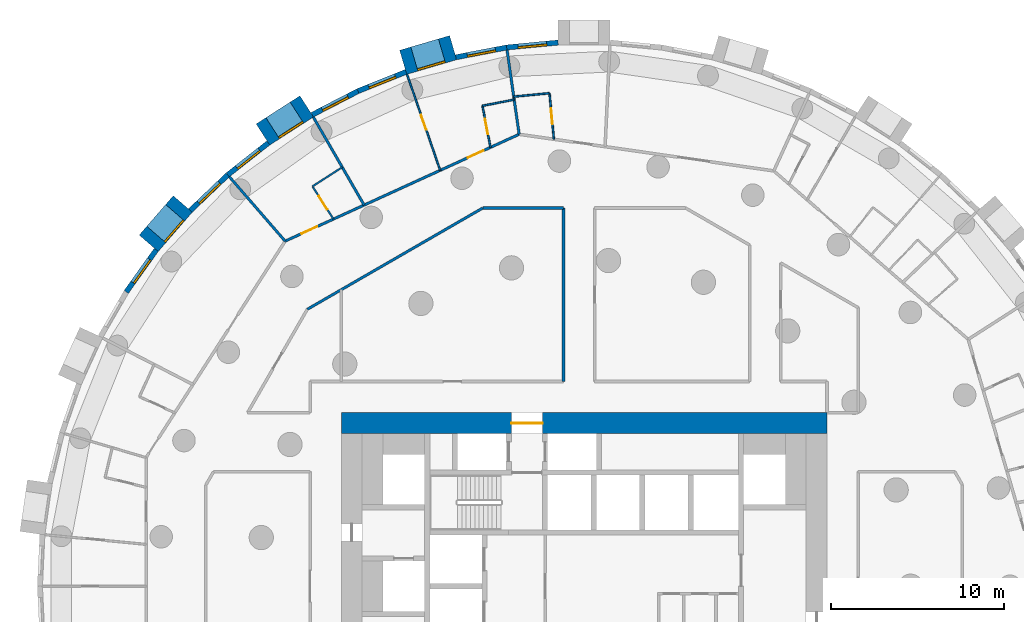
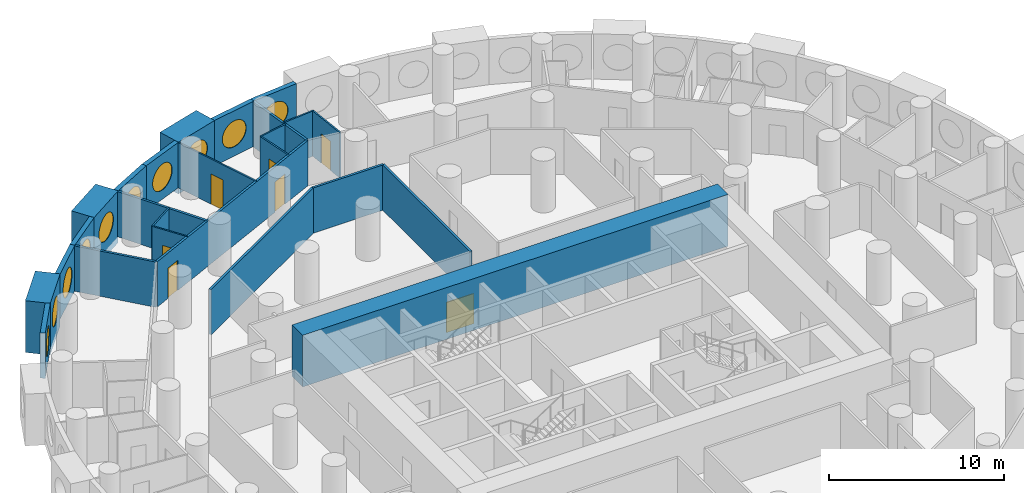
# One storey, part 8 of 12: 25 walls, 10 windows, 7 doors, 17 openings.
"""IFC4 building model written with IfcOpenShell, lengths in metres."""

from ifc_helpers import new_model, si_unit, direction, frame, frame_2d, origin, origin_2d, place, context, subcontext, project, spatial, rectangle, circle, extrude, material, layer, layer_set, type_object, element, fill, save


model = new_model("IFC4")

# Units and contexts
model_context = context("Model", 3, precision=1e-05, world=origin(), true_north=direction((0.0, 1.0)))
body_context = subcontext(model_context, "Body", "Model", "MODEL_VIEW")
ifc_project = project(units=[si_unit("LENGTHUNIT", "METRE"), si_unit("AREAUNIT", "SQUARE_METRE"), si_unit("VOLUMEUNIT", "CUBIC_METRE"), si_unit("PLANEANGLEUNIT", "RADIAN"), si_unit("MASSUNIT", "GRAM", prefix="KILO")], contexts=[model_context])

# Site, building, storey
site_placement = place(None, origin())
site = spatial("IfcSite", under=ifc_project, at=site_placement, CompositionType="ELEMENT")
building_placement = place(site_placement, origin())
building = spatial("IfcBuilding", under=site, at=building_placement, Name="Tracery Tower", CompositionType="ELEMENT")
storey_placement = place(building_placement, frame((0.0, 0.0, 107.39990234375)))
storey = spatial("IfcBuildingStorey", under=building, at=storey_placement, Name="L27", CompositionType="ELEMENT", Elevation=107.39990234375)

# Wall, opening, door
ifc_material_1 = material(Name="Concrete C60/75", Category="concrete")
ifc_layer_1 = layer(ifc_material_1, 1.199951171875)
ifc_layer_set_1 = layer_set([ifc_layer_1], Name="Core wall 1200 C60")
wall_type_1 = type_object("IfcWallType", Name="Core wall 1200 C60", PredefinedType="SOLIDWALL", material=ifc_layer_set_1)
wall_1_placement = place(storey_placement, frame((-14.0, 9.39990234375, 0.0), z_axis=(0.0, 0.0, 1.0), x_axis=(1.0, 0.0, 0.0)))
wall_1 = element("IfcWall", 1, at=wall_1_placement, inside=storey, type_object=wall_type_1, Name="L27 outer N", PredefinedType="SOLIDWALL", context=body_context, shape_type="SweptSolid", body=[
    extrude(rectangle(XDim=28.0, YDim=1.199951171875, at=frame_2d((14.0, 0.0))), origin(), (0.0, 0.0, 1.0), 3.60009765625),
])
opening_1_placement = place(wall_1_placement, frame((9.800048828125, 0.0, 0.0)))
opening_1 = element("IfcOpeningElement", 2, at=opening_1_placement, cuts=wall_1, Name="Opening KD13", PredefinedType="OPENING", context=body_context, shape_type="SweptSolid", body=[
    extrude(rectangle(XDim=1.800048828125, YDim=2.10009765625, at=frame_2d((0.89990234375, 1.050048828125))), frame((0.0, 0.60009765625, 0.0), z_axis=(0.0, -1.0, 0.0), x_axis=(1.0, 0.0, 0.0)), (0.0, 0.0, 1.0), 1.199951171875),
])
ifc_material_2 = material(Name="Steel fire door", Category="steel")
door_type_1 = type_object("IfcDoorType", Name="Core exit door 1800 double", OperationType="NOTDEFINED", PredefinedType="DOOR", material=ifc_material_2)
door_1_placement = place(opening_1_placement, origin())
door_1 = element("IfcDoor", 3, at=door_1_placement, inside=storey, type_object=door_type_1, Name="Core exit door", OperationType="DOUBLE_DOOR_SINGLE_SWING", OverallHeight=2.10009765625, OverallWidth=1.800048828125, PredefinedType="DOOR", context=body_context, shape_type="SweptSolid", body=[
    extrude(rectangle(XDim=1.800048828125, YDim=2.10009765625, at=frame_2d((0.89990234375, 1.050048828125))), frame((0.0, 0.02490234375, 0.0), z_axis=(0.0, -1.0, 0.0), x_axis=(1.0, 0.0, 0.0)), (0.0, 0.0, 1.0), 0.050048828125),
])
fill(opening_1, door_1)

# Wall, opening, window
ifc_material_3 = material(Name="Precast concrete C50/60", Category="concrete")
ifc_layer_2 = layer(ifc_material_3, 1.449951171875)
ifc_layer_set_2 = layer_set([ifc_layer_2], Name="Deep-set bay unit 3000 x 3600, slab edge 450")
wall_type_2 = type_object("IfcWallType", Name="Deep-set bay unit 3000 x 3600, slab edge 450", PredefinedType="ELEMENTEDWALL", material=ifc_layer_set_2)
wall_2_placement = place(storey_placement, frame((-7.552001953125, 31.043701171875, -0.449951171875), z_axis=(0.0, 0.0, 1.0), x_axis=(-0.959489813418, -0.281743319258, 0.0)))
wall_2 = element("IfcWall", 4, at=wall_2_placement, inside=storey, type_object=wall_type_2, Name="Deep-set bay unit 20 at L27", PredefinedType="ELEMENTEDWALL", context=body_context, shape_type="SweptSolid", body=[
    extrude(rectangle(XDim=3.0, YDim=1.449951171875, at=frame_2d((1.5, 0.0))), origin(), (0.0, 0.0, 1.0), 3.60009765625),
])
opening_2_placement = place(wall_2_placement, frame((1.5, 0.0, 2.0)))
opening_2 = element("IfcOpeningElement", 5, at=opening_2_placement, cuts=wall_2, Name="Opening WN1", PredefinedType="OPENING", context=body_context, shape_type="SweptSolid", body=[
    extrude(circle(Radius=0.9000244140625, at=origin_2d()), frame((0.0, 0.73486328125, 0.0), z_axis=(0.0, -1.0, 0.0), x_axis=(1.0, 0.0, 0.0)), (0.0, 0.0, 1.0), 1.469970703125),
])
ifc_material_4 = material(Name="Aluminium frame with tinted double glazing", Category="aluminium")
window_type = type_object("IfcWindowType", Name="Round window 1800", PartitioningType="SINGLE_PANEL", PredefinedType="WINDOW", material=ifc_material_4)
window_1_placement = place(opening_2_placement, origin())
window_1 = element("IfcWindow", 6, at=window_1_placement, inside=storey, type_object=window_type, Name="Round window 20 at L27", OverallHeight=1.800048828125, OverallWidth=1.800048828125, PartitioningType="SINGLE_PANEL", PredefinedType="WINDOW", context=body_context, shape_type="SweptSolid", body=[
    extrude(circle(Radius=0.9000244140625, at=origin_2d()), frame((0.0, 0.69482421875, 0.0), z_axis=(0.0, -1.0, 0.0), x_axis=(1.0, 0.0, 0.0)), (0.0, 0.0, 1.0), 0.10009765625),
])
fill(opening_2, window_1)

wall_3_placement = place(storey_placement, frame((-15.9921875, 27.65869140625, -0.449951171875), z_axis=(0.0, 0.0, 1.0), x_axis=(-0.841223422347, -0.540687667415, 0.0)))
wall_3 = element("IfcWall", 7, at=wall_3_placement, inside=storey, type_object=wall_type_2, Name="Deep-set bay unit 23 at L27", PredefinedType="ELEMENTEDWALL", context=body_context, shape_type="SweptSolid", body=[
    extrude(rectangle(XDim=3.0, YDim=1.449951171875, at=frame_2d((1.5, 0.0))), origin(), (0.0, 0.0, 1.0), 3.60009765625),
])
opening_3_placement = place(wall_3_placement, frame((1.5, 0.0, 2.0)))
opening_3 = element("IfcOpeningElement", 8, at=opening_3_placement, cuts=wall_3, Name="Opening WN1", PredefinedType="OPENING", context=body_context, shape_type="SweptSolid", body=[
    extrude(circle(Radius=0.9000244140625, at=origin_2d()), frame((0.0, 0.73486328125, 0.0), z_axis=(0.0, -1.0, 0.0), x_axis=(1.0, 0.0, 0.0)), (0.0, 0.0, 1.0), 1.469970703125),
])
window_2_placement = place(opening_3_placement, origin())
window_2 = element("IfcWindow", 9, at=window_2_placement, inside=storey, type_object=window_type, Name="Round window 23 at L27", OverallHeight=1.800048828125, OverallWidth=1.800048828125, PartitioningType="SINGLE_PANEL", PredefinedType="WINDOW", context=body_context, shape_type="SweptSolid", body=[
    extrude(circle(Radius=0.9000244140625, at=origin_2d()), frame((0.0, 0.69482421875, 0.0), z_axis=(0.0, -1.0, 0.0), x_axis=(1.0, 0.0, 0.0)), (0.0, 0.0, 1.0), 0.10009765625),
])
fill(opening_3, window_2)

wall_4_placement = place(storey_placement, frame((-23.13671875, 22.03271484375, -0.449951171875), z_axis=(0.0, 0.0, 1.0), x_axis=(-0.654890259022, -0.75572398972, 0.0)))
wall_4 = element("IfcWall", 10, at=wall_4_placement, inside=storey, type_object=wall_type_2, Name="Deep-set bay unit 26 at L27", PredefinedType="ELEMENTEDWALL", context=body_context, shape_type="SweptSolid", body=[
    extrude(rectangle(XDim=3.0, YDim=1.449951171875, at=frame_2d((1.5, 0.0))), origin(), (0.0, 0.0, 1.0), 3.60009765625),
])
opening_4_placement = place(wall_4_placement, frame((1.5, 0.0, 2.0)))
opening_4 = element("IfcOpeningElement", 11, at=opening_4_placement, cuts=wall_4, Name="Opening WN1", PredefinedType="OPENING", context=body_context, shape_type="SweptSolid", body=[
    extrude(circle(Radius=0.9000244140625, at=origin_2d()), frame((0.0, 0.73486328125, 0.0), z_axis=(0.0, -1.0, 0.0), x_axis=(1.0, 0.0, 0.0)), (0.0, 0.0, 1.0), 1.469970703125),
])
window_3_placement = place(opening_4_placement, origin())
window_3 = element("IfcWindow", 12, at=window_3_placement, inside=storey, type_object=window_type, Name="Round window 26 at L27", OverallHeight=1.800048828125, OverallWidth=1.800048828125, PartitioningType="SINGLE_PANEL", PredefinedType="WINDOW", context=body_context, shape_type="SweptSolid", body=[
    extrude(circle(Radius=0.9000244140625, at=origin_2d()), frame((0.0, 0.69482421875, 0.0), z_axis=(0.0, -1.0, 0.0), x_axis=(1.0, 0.0, 0.0)), (0.0, 0.0, 1.0), 0.10009765625),
])
fill(opening_4, window_3)

ifc_material_5 = material(Name="Precast concrete C50/60", Category="concrete")
ifc_layer_3 = layer(ifc_material_5, 0.300048828125)
ifc_layer_set_3 = layer_set([ifc_layer_3], Name="Facade panel 3000 x 3150")
wall_type_3 = type_object("IfcWallType", Name="Facade panel 3000 x 3150", PredefinedType="SOLIDWALL", material=ifc_layer_set_3)
wall_5_placement = place(storey_placement, frame((-1.498779296875, 31.33837890625, 0.0), z_axis=(0.0, 0.0, 1.0), x_axis=(-0.995473351551, -0.095041077185, 0.0)))
wall_5 = element("IfcWall", 13, at=wall_5_placement, inside=storey, type_object=wall_type_3, Name="Facade panel 18 at L27", PredefinedType="SOLIDWALL", context=body_context, shape_type="SweptSolid", body=[
    extrude(rectangle(XDim=2.979736328125, YDim=0.300048828125, at=frame_2d((1.48974609375, 0.0))), origin(), (0.0, 0.0, 1.0), 3.150146484375),
])
opening_5_placement = place(wall_5_placement, frame((1.48974609375, 0.0, 1.5498046875)))
opening_5 = element("IfcOpeningElement", 14, at=opening_5_placement, cuts=wall_5, Name="Opening WN1", PredefinedType="OPENING", context=body_context, shape_type="SweptSolid", body=[
    extrude(circle(Radius=0.9000244140625, at=origin_2d()), frame((0.0, 0.159912109375, 0.0), z_axis=(0.0, -1.0, 0.0), x_axis=(1.0, 0.0, 0.0)), (0.0, 0.0, 1.0), 0.320068359375),
])
window_4_placement = place(opening_5_placement, origin())
window_4 = element("IfcWindow", 15, at=window_4_placement, inside=storey, type_object=window_type, Name="Round window 18 at L27", OverallHeight=1.800048828125, OverallWidth=1.800048828125, PartitioningType="SINGLE_PANEL", PredefinedType="WINDOW", context=body_context, shape_type="SweptSolid", body=[
    extrude(circle(Radius=0.9000244140625, at=origin_2d()), frame((0.0, 0.1201171875, 0.0), z_axis=(0.0, -1.0, 0.0), x_axis=(1.0, 0.0, 0.0)), (0.0, 0.0, 1.0), 0.10009765625),
])
fill(opening_5, window_4)

wall_6_placement = place(storey_placement, frame((-4.465087890625, 31.05517578125, 0.0), z_axis=(0.0, 0.0, 1.0), x_axis=(-0.981924535406, -0.189272836848, 0.0)))
wall_6 = element("IfcWall", 16, at=wall_6_placement, inside=storey, type_object=wall_type_3, Name="Facade panel 19 at L27", PredefinedType="SOLIDWALL", context=body_context, shape_type="SweptSolid", body=[
    extrude(rectangle(XDim=2.979736328125, YDim=0.300048828125, at=frame_2d((1.48974609375, 0.0))), origin(), (0.0, 0.0, 1.0), 3.150146484375),
])
opening_6_placement = place(wall_6_placement, frame((1.48974609375, 0.0, 1.5498046875)))
opening_6 = element("IfcOpeningElement", 17, at=opening_6_placement, cuts=wall_6, Name="Opening WN1", PredefinedType="OPENING", context=body_context, shape_type="SweptSolid", body=[
    extrude(circle(Radius=0.9000244140625, at=origin_2d()), frame((0.0, 0.159912109375, 0.0), z_axis=(0.0, -1.0, 0.0), x_axis=(1.0, 0.0, 0.0)), (0.0, 0.0, 1.0), 0.320068359375),
])
window_5_placement = place(opening_6_placement, origin())
window_5 = element("IfcWindow", 18, at=window_5_placement, inside=storey, type_object=window_type, Name="Round window 19 at L27", OverallHeight=1.800048828125, OverallWidth=1.800048828125, PartitioningType="SINGLE_PANEL", PredefinedType="WINDOW", context=body_context, shape_type="SweptSolid", body=[
    extrude(circle(Radius=0.9000244140625, at=origin_2d()), frame((0.0, 0.1201171875, 0.0), z_axis=(0.0, -1.0, 0.0), x_axis=(1.0, 0.0, 0.0)), (0.0, 0.0, 1.0), 0.10009765625),
])
fill(opening_6, window_5)

wall_7_placement = place(storey_placement, frame((-10.26708984375, 29.646484375, 0.0), z_axis=(0.0, 0.0, 1.0), x_axis=(-0.928403213937, -0.371574316054, 0.0)))
wall_7 = element("IfcWall", 19, at=wall_7_placement, inside=storey, type_object=wall_type_3, Name="Facade panel 21 at L27", PredefinedType="SOLIDWALL", context=body_context, shape_type="SweptSolid", body=[
    extrude(rectangle(XDim=2.979736328125, YDim=0.300048828125, at=frame_2d((1.48974609375, 0.0))), origin(), (0.0, 0.0, 1.0), 3.150146484375),
])
opening_7_placement = place(wall_7_placement, frame((1.48974609375, 0.0, 1.5498046875)))
opening_7 = element("IfcOpeningElement", 20, at=opening_7_placement, cuts=wall_7, Name="Opening WN1", PredefinedType="OPENING", context=body_context, shape_type="SweptSolid", body=[
    extrude(circle(Radius=0.9000244140625, at=origin_2d()), frame((0.0, 0.159912109375, 0.0), z_axis=(0.0, -1.0, 0.0), x_axis=(1.0, 0.0, 0.0)), (0.0, 0.0, 1.0), 0.320068359375),
])
window_6_placement = place(opening_7_placement, origin())
window_6 = element("IfcWindow", 21, at=window_6_placement, inside=storey, type_object=window_type, Name="Round window 21 at L27", OverallHeight=1.800048828125, OverallWidth=1.800048828125, PartitioningType="SINGLE_PANEL", PredefinedType="WINDOW", context=body_context, shape_type="SweptSolid", body=[
    extrude(circle(Radius=0.9000244140625, at=origin_2d()), frame((0.0, 0.1201171875, 0.0), z_axis=(0.0, -1.0, 0.0), x_axis=(1.0, 0.0, 0.0)), (0.0, 0.0, 1.0), 0.10009765625),
])
fill(opening_7, window_6)

wall_8_placement = place(storey_placement, frame((-13.033447265625, 28.539306640625, 0.0), z_axis=(0.0, 0.0, 1.0), x_axis=(-0.888819853856, -0.458256770153, 0.0)))
wall_8 = element("IfcWall", 22, at=wall_8_placement, inside=storey, type_object=wall_type_3, Name="Facade panel 22 at L27", PredefinedType="SOLIDWALL", context=body_context, shape_type="SweptSolid", body=[
    extrude(rectangle(XDim=2.979736328125, YDim=0.300048828125, at=frame_2d((1.48974609375, 0.0))), origin(), (0.0, 0.0, 1.0), 3.150146484375),
])
opening_8_placement = place(wall_8_placement, frame((1.48974609375, 0.0, 1.5498046875)))
opening_8 = element("IfcOpeningElement", 23, at=opening_8_placement, cuts=wall_8, Name="Opening WN1", PredefinedType="OPENING", context=body_context, shape_type="SweptSolid", body=[
    extrude(circle(Radius=0.9000244140625, at=origin_2d()), frame((0.0, 0.159912109375, 0.0), z_axis=(0.0, -1.0, 0.0), x_axis=(1.0, 0.0, 0.0)), (0.0, 0.0, 1.0), 0.320068359375),
])
window_7_placement = place(opening_8_placement, origin())
window_7 = element("IfcWindow", 24, at=window_7_placement, inside=storey, type_object=window_type, Name="Round window 22 at L27", OverallHeight=1.800048828125, OverallWidth=1.800048828125, PartitioningType="SINGLE_PANEL", PredefinedType="WINDOW", context=body_context, shape_type="SweptSolid", body=[
    extrude(circle(Radius=0.9000244140625, at=origin_2d()), frame((0.0, 0.1201171875, 0.0), z_axis=(0.0, -1.0, 0.0), x_axis=(1.0, 0.0, 0.0)), (0.0, 0.0, 1.0), 0.10009765625),
])
fill(opening_8, window_7)

wall_9_placement = place(storey_placement, frame((-18.20361328125, 25.55322265625, 0.0), z_axis=(0.0, 0.0, 1.0), x_axis=(-0.786045331304, -0.618168858108, 0.0)))
wall_9 = element("IfcWall", 25, at=wall_9_placement, inside=storey, type_object=wall_type_3, Name="Facade panel 24 at L27", PredefinedType="SOLIDWALL", context=body_context, shape_type="SweptSolid", body=[
    extrude(rectangle(XDim=2.979736328125, YDim=0.300048828125, at=frame_2d((1.48974609375, 0.0))), origin(), (0.0, 0.0, 1.0), 3.150146484375),
])
opening_9_placement = place(wall_9_placement, frame((1.48974609375, 0.0, 1.5498046875)))
opening_9 = element("IfcOpeningElement", 26, at=opening_9_placement, cuts=wall_9, Name="Opening WN1", PredefinedType="OPENING", context=body_context, shape_type="SweptSolid", body=[
    extrude(circle(Radius=0.9000244140625, at=origin_2d()), frame((0.0, 0.159912109375, 0.0), z_axis=(0.0, -1.0, 0.0), x_axis=(1.0, 0.0, 0.0)), (0.0, 0.0, 1.0), 0.320068359375),
])
window_8_placement = place(opening_9_placement, origin())
window_8 = element("IfcWindow", 27, at=window_8_placement, inside=storey, type_object=window_type, Name="Round window 24 at L27", OverallHeight=1.800048828125, OverallWidth=1.800048828125, PartitioningType="SINGLE_PANEL", PredefinedType="WINDOW", context=body_context, shape_type="SweptSolid", body=[
    extrude(circle(Radius=0.9000244140625, at=origin_2d()), frame((0.0, 0.1201171875, 0.0), z_axis=(0.0, -1.0, 0.0), x_axis=(1.0, 0.0, 0.0)), (0.0, 0.0, 1.0), 0.10009765625),
])
fill(opening_9, window_8)

wall_10_placement = place(storey_placement, frame((-20.5458984375, 23.711181640625, 0.0), z_axis=(0.0, 0.0, 1.0), x_axis=(-0.723744206617, -0.690068346896, 0.0)))
wall_10 = element("IfcWall", 28, at=wall_10_placement, inside=storey, type_object=wall_type_3, Name="Facade panel 25 at L27", PredefinedType="SOLIDWALL", context=body_context, shape_type="SweptSolid", body=[
    extrude(rectangle(XDim=2.979736328125, YDim=0.300048828125, at=frame_2d((1.48974609375, 0.0))), origin(), (0.0, 0.0, 1.0), 3.150146484375),
])
opening_10_placement = place(wall_10_placement, frame((1.48974609375, 0.0, 1.5498046875)))
opening_10 = element("IfcOpeningElement", 29, at=opening_10_placement, cuts=wall_10, Name="Opening WN1", PredefinedType="OPENING", context=body_context, shape_type="SweptSolid", body=[
    extrude(circle(Radius=0.9000244140625, at=origin_2d()), frame((0.0, 0.159912109375, 0.0), z_axis=(0.0, -1.0, 0.0), x_axis=(1.0, 0.0, 0.0)), (0.0, 0.0, 1.0), 0.320068359375),
])
window_9_placement = place(opening_10_placement, origin())
window_9 = element("IfcWindow", 30, at=window_9_placement, inside=storey, type_object=window_type, Name="Round window 25 at L27", OverallHeight=1.800048828125, OverallWidth=1.800048828125, PartitioningType="SINGLE_PANEL", PredefinedType="WINDOW", context=body_context, shape_type="SweptSolid", body=[
    extrude(circle(Radius=0.9000244140625, at=origin_2d()), frame((0.0, 0.1201171875, 0.0), z_axis=(0.0, -1.0, 0.0), x_axis=(1.0, 0.0, 0.0)), (0.0, 0.0, 1.0), 0.10009765625),
])
fill(opening_10, window_9)

wall_11_placement = place(storey_placement, frame((-24.66552734375, 19.389404296875, 0.0), z_axis=(0.0, 0.0, 1.0), x_axis=(-0.580059407678, -0.81457417315, 0.0)))
wall_11 = element("IfcWall", 31, at=wall_11_placement, inside=storey, type_object=wall_type_3, Name="Facade panel 27 at L27", PredefinedType="SOLIDWALL", context=body_context, shape_type="SweptSolid", body=[
    extrude(rectangle(XDim=2.9794921875, YDim=0.300048828125, at=frame_2d((1.48974609375, 0.0))), origin(), (0.0, 0.0, 1.0), 3.150146484375),
])
opening_11_placement = place(wall_11_placement, frame((1.48974609375, 0.0, 1.5498046875)))
opening_11 = element("IfcOpeningElement", 32, at=opening_11_placement, cuts=wall_11, Name="Opening WN1", PredefinedType="OPENING", context=body_context, shape_type="SweptSolid", body=[
    extrude(circle(Radius=0.9000244140625, at=origin_2d()), frame((0.0, 0.159912109375, 0.0), z_axis=(0.0, -1.0, 0.0), x_axis=(1.0, 0.0, 0.0)), (0.0, 0.0, 1.0), 0.320068359375),
])
window_10_placement = place(opening_11_placement, origin())
window_10 = element("IfcWindow", 33, at=window_10_placement, inside=storey, type_object=window_type, Name="Round window 27 at L27", OverallHeight=1.800048828125, OverallWidth=1.800048828125, PartitioningType="SINGLE_PANEL", PredefinedType="WINDOW", context=body_context, shape_type="SweptSolid", body=[
    extrude(circle(Radius=0.9000244140625, at=origin_2d()), frame((0.0, 0.1201171875, 0.0), z_axis=(0.0, -1.0, 0.0), x_axis=(1.0, 0.0, 0.0)), (0.0, 0.0, 1.0), 0.10009765625),
])
fill(opening_11, window_10)

# Wall, opening, door
ifc_material_6 = material(Name="Plasterboard on steel studs", Category="steel")
ifc_layer_4 = layer(ifc_material_6, 0.10009765625)
ifc_layer_set_4 = layer_set([ifc_layer_4], Name="Partition 100 stud")
wall_type_4 = type_object("IfcWallType", Name="Partition 100 stud", PredefinedType="PARTITIONING", material=ifc_layer_set_4)
wall_12_placement = place(storey_placement, frame((-10.2119140625, 29.507080078125, 0.0), z_axis=(0.0, 0.0, 1.0), x_axis=(0.32692444056, -0.94505048022, 0.0)))
wall_12 = element("IfcWall", 34, at=wall_12_placement, inside=storey, type_object=wall_type_4, Name="Stud partition RA8-087", PredefinedType="PARTITIONING", context=body_context, shape_type="SweptSolid", body=[
    extrude(rectangle(XDim=5.85693359375, YDim=0.10009765625, at=frame_2d((2.928466796875, 0.0))), origin(), (0.0, 0.0, 1.0), 3.150146484375),
])
opening_12_placement = place(wall_12_placement, frame((2.47900390625, 0.0, 0.0)))
opening_12 = element("IfcOpeningElement", 35, at=opening_12_placement, cuts=wall_12, Name="Opening RA8-27", PredefinedType="OPENING", context=body_context, shape_type="SweptSolid", body=[
    extrude(rectangle(XDim=0.89990234375, YDim=2.10009765625, at=frame_2d((0.449951171875, 1.050048828125))), frame((0.0, 0.050048828125, 0.0), z_axis=(0.0, -1.0, 0.0), x_axis=(1.0, 0.0, 0.0)), (0.0, 0.0, 1.0), 0.10009765625),
])
ifc_material_7 = material(Name="Timber door leaf", Category="wood")
door_type_2 = type_object("IfcDoorType", Name="Door bedroom 900", OperationType="NOTDEFINED", PredefinedType="DOOR", material=ifc_material_7)
door_2_placement = place(opening_12_placement, origin())
door_2 = element("IfcDoor", 36, at=door_2_placement, inside=storey, type_object=door_type_2, Name="Bedroom door RA8-27", OperationType="SINGLE_SWING_LEFT", OverallHeight=2.10009765625, OverallWidth=0.89990234375, PredefinedType="DOOR", context=body_context, shape_type="SweptSolid", body=[
    extrude(rectangle(XDim=0.89990234375, YDim=2.10009765625, at=frame_2d((0.449951171875, 1.050048828125))), frame((0.0, 0.02490234375, 0.0), z_axis=(0.0, -1.0, 0.0), x_axis=(1.0, 0.0, 0.0)), (0.0, 0.0, 1.0), 0.050048828125),
])
fill(opening_12, door_2)

ifc_material_8 = material(Name="Plasterboard on steel studs", Category="steel")
ifc_layer_5 = layer(ifc_material_8, 0.10009765625)
ifc_layer_set_5 = layer_set([ifc_layer_5], Name="Partition 100 wet wall")
wall_type_5 = type_object("IfcWallType", Name="Partition 100 wet wall", PredefinedType="PARTITIONING", material=ifc_layer_set_5)
wall_13_placement = place(storey_placement, frame((-1.99609375, 28.41796875, 0.0), z_axis=(0.0, 0.0, 1.0), x_axis=(0.094925726797, -0.995484357683, 0.0)))
wall_13 = element("IfcWall", 37, at=wall_13_placement, inside=storey, type_object=wall_type_5, Name="Wet wall RA8-084", PredefinedType="PARTITIONING", context=body_context, shape_type="SweptSolid", body=[
    extrude(rectangle(XDim=2.6669921875, YDim=0.10009765625, at=frame_2d((1.33349609375, 0.0))), origin(), (0.0, 0.0, 1.0), 3.150146484375),
])
opening_13_placement = place(wall_13_placement, frame((0.883056640625, 0.0, 0.0)))
opening_13 = element("IfcOpeningElement", 38, at=opening_13_placement, cuts=wall_13, Name="Opening RA8-25", PredefinedType="OPENING", context=body_context, shape_type="SweptSolid", body=[
    extrude(rectangle(XDim=0.89990234375, YDim=2.0400390625, at=frame_2d((0.449951171875, 1.02001953125))), frame((0.0, 0.050048828125, 0.0), z_axis=(0.0, -1.0, 0.0), x_axis=(1.0, 0.0, 0.0)), (0.0, 0.0, 1.0), 0.10009765625),
])
ifc_material_9 = material(Name="Timber door leaf", Category="wood")
door_type_3 = type_object("IfcDoorType", Name="Door en-suite 900", OperationType="NOTDEFINED", PredefinedType="DOOR", material=ifc_material_9)
door_3_placement = place(opening_13_placement, origin())
door_3 = element("IfcDoor", 39, at=door_3_placement, inside=storey, type_object=door_type_3, Name="En-suite door RA8-25", OperationType="SINGLE_SWING_RIGHT", OverallHeight=2.0400390625, OverallWidth=0.89990234375, PredefinedType="DOOR", context=body_context, shape_type="SweptSolid", body=[
    extrude(rectangle(XDim=0.89990234375, YDim=2.0400390625, at=frame_2d((0.449951171875, 1.02001953125))), frame((0.0, 0.02490234375, 0.0), z_axis=(0.0, -1.0, 0.0), x_axis=(1.0, 0.0, 0.0)), (0.0, 0.0, 1.0), 0.050048828125),
])
fill(opening_13, door_3)

# Walls
wall_14_placement = place(storey_placement, frame((-4.05810546875, 28.220947265625, 0.0), z_axis=(0.0, 0.0, 1.0), x_axis=(0.995466291052, 0.095115000814, 0.0)))
element("IfcWall", 40, at=wall_14_placement, inside=storey, type_object=wall_type_5, Name="Wet wall RA8-085", PredefinedType="PARTITIONING", context=body_context, shape_type="SweptSolid", body=[
    extrude(rectangle(XDim=2.0712890625, YDim=0.10009765625, at=frame_2d((1.03564453125, 0.0))), origin(), (0.0, 0.0, 1.0), 3.150146484375),
])
wall_15_placement = place(storey_placement, frame((-5.861083984375, 27.694091796875, 0.0), z_axis=(0.0, 0.0, 1.0), x_axis=(0.981879093558, 0.189508431565, 0.0)))
element("IfcWall", 41, at=wall_15_placement, inside=storey, type_object=wall_type_5, Name="Wet wall RA8-088", PredefinedType="PARTITIONING", context=body_context, shape_type="SweptSolid", body=[
    extrude(rectangle(XDim=1.86279296875, YDim=0.10009765625, at=frame_2d((0.931396484375, 0.0))), origin(), (0.0, 0.0, 1.0), 3.150146484375),
])

# Wall, opening, door
wall_16_placement = place(storey_placement, frame((-5.861083984375, 27.694091796875, 0.0), z_axis=(0.0, 0.0, 1.0), x_axis=(0.189229262293, -0.981932933704, 0.0)))
wall_16 = element("IfcWall", 42, at=wall_16_placement, inside=storey, type_object=wall_type_5, Name="Wet wall RA8-089", PredefinedType="PARTITIONING", context=body_context, shape_type="SweptSolid", body=[
    extrude(rectangle(XDim=2.4423828125, YDim=0.10009765625, at=frame_2d((1.22119140625, 0.0))), origin(), (0.0, 0.0, 1.0), 3.150146484375),
])
opening_14_placement = place(wall_16_placement, frame((0.77099609375, 0.0, 0.0)))
opening_14 = element("IfcOpeningElement", 43, at=opening_14_placement, cuts=wall_16, Name="Opening RA8-28", PredefinedType="OPENING", context=body_context, shape_type="SweptSolid", body=[
    extrude(rectangle(XDim=0.89990234375, YDim=2.0, at=frame_2d((0.449951171875, 1.0))), frame((0.0, 0.050048828125, 0.0), z_axis=(0.0, -1.0, 0.0), x_axis=(1.0, 0.0, 0.0)), (0.0, 0.0, 1.0), 0.10009765625),
])
ifc_material_10 = material(Name="Timber door leaf", Category="wood")
door_type_4 = type_object("IfcDoorType", Name="Door shower room 900", OperationType="NOTDEFINED", PredefinedType="DOOR", material=ifc_material_10)
door_4_placement = place(opening_14_placement, origin())
door_4 = element("IfcDoor", 44, at=door_4_placement, inside=storey, type_object=door_type_4, Name="Shower room door RA8-28", OperationType="SINGLE_SWING_LEFT", OverallHeight=2.0, OverallWidth=0.89990234375, PredefinedType="DOOR", context=body_context, shape_type="SweptSolid", body=[
    extrude(rectangle(XDim=0.89990234375, YDim=2.0, at=frame_2d((0.449951171875, 1.0))), frame((0.0, 0.02490234375, 0.0), z_axis=(0.0, -1.0, 0.0), x_axis=(1.0, 0.0, 0.0)), (0.0, 0.0, 1.0), 0.050048828125),
])
fill(opening_14, door_4)

# Wall
wall_17_placement = place(storey_placement, frame((-15.660888671875, 23.048095703125, 0.0), z_axis=(0.0, 0.0, 1.0), x_axis=(0.84110074148, 0.540878491606, 0.0)))
element("IfcWall", 45, at=wall_17_placement, inside=storey, type_object=wall_type_5, Name="Wet wall RA8-091", PredefinedType="PARTITIONING", context=body_context, shape_type="SweptSolid", body=[
    extrude(rectangle(XDim=2.041015625, YDim=0.10009765625, at=frame_2d((1.0205078125, 0.0))), origin(), (0.0, 0.0, 1.0), 3.150146484375),
])

# Wall, opening, door
wall_18_placement = place(storey_placement, frame((-15.660888671875, 23.048095703125, 0.0), z_axis=(0.0, 0.0, 1.0), x_axis=(0.540796133976, -0.841153696702, 0.0)))
wall_18 = element("IfcWall", 46, at=wall_18_placement, inside=storey, type_object=wall_type_5, Name="Wet wall RA8-092", PredefinedType="PARTITIONING", context=body_context, shape_type="SweptSolid", body=[
    extrude(rectangle(XDim=2.240966796875, YDim=0.10009765625, at=frame_2d((1.12060546875, 0.0))), origin(), (0.0, 0.0, 1.0), 3.150146484375),
])
opening_15_placement = place(wall_18_placement, frame((0.6708984375, 0.0, 0.0)))
opening_15 = element("IfcOpeningElement", 47, at=opening_15_placement, cuts=wall_18, Name="Opening RA8-30", PredefinedType="OPENING", context=body_context, shape_type="SweptSolid", body=[
    extrude(rectangle(XDim=0.89990234375, YDim=2.0400390625, at=frame_2d((0.449951171875, 1.02001953125))), frame((0.0, 0.050048828125, 0.0), z_axis=(0.0, -1.0, 0.0), x_axis=(1.0, 0.0, 0.0)), (0.0, 0.0, 1.0), 0.10009765625),
])
door_5_placement = place(opening_15_placement, origin())
door_5 = element("IfcDoor", 48, at=door_5_placement, inside=storey, type_object=door_type_3, Name="En-suite door RA8-30", OperationType="SINGLE_SWING_RIGHT", OverallHeight=2.0400390625, OverallWidth=0.89990234375, PredefinedType="DOOR", context=body_context, shape_type="SweptSolid", body=[
    extrude(rectangle(XDim=0.89990234375, YDim=2.0400390625, at=frame_2d((0.449951171875, 1.02001953125))), frame((0.0, 0.02490234375, 0.0), z_axis=(0.0, -1.0, 0.0), x_axis=(1.0, 0.0, 0.0)), (0.0, 0.0, 1.0), 0.050048828125),
])
fill(opening_15, door_5)

# Walls
ifc_material_11 = material(Name="Plasterboard on steel studs", Category="steel")
ifc_layer_6 = layer(ifc_material_11, 0.14990234375)
ifc_layer_set_6 = layer_set([ifc_layer_6], Name="Partition 150 acoustic unit wall")
wall_type_6 = type_object("IfcWallType", Name="Partition 150 acoustic unit wall", PredefinedType="PARTITIONING", material=ifc_layer_set_6)
wall_19_placement = place(storey_placement, frame((-4.444091796875, 30.906005859375, 0.0), z_axis=(0.0, 0.0, 1.0), x_axis=(0.142306296561, -0.989822669956, 0.0)))
element("IfcWall", 49, at=wall_19_placement, inside=storey, type_object=wall_type_6, Name="Unit wall RA8-086", PredefinedType="PARTITIONING", context=body_context, shape_type="SweptSolid", body=[
    extrude(rectangle(XDim=4.90478515625, YDim=0.14990234375, at=frame_2d((2.452392578125, 0.0))), origin(), (0.0, 0.0, 1.0), 3.150146484375),
])
wall_20_placement = place(storey_placement, frame((-15.612060546875, 27.041015625, 0.0), z_axis=(0.0, 0.0, 1.0), x_axis=(0.50008450438, -0.86597660966, 0.0)))
element("IfcWall", 50, at=wall_20_placement, inside=storey, type_object=wall_type_6, Name="Unit wall RA8-090", PredefinedType="PARTITIONING", context=body_context, shape_type="SweptSolid", body=[
    extrude(rectangle(XDim=5.8564453125, YDim=0.14990234375, at=frame_2d((2.92822265625, 0.0))), origin(), (0.0, 0.0, 1.0), 3.150146484375),
])
wall_21_placement = place(storey_placement, frame((-20.447998046875, 23.597900390625, 0.0), z_axis=(0.0, 0.0, 1.0), x_axis=(0.654953271538, -0.755669380153, 0.0)))
element("IfcWall", 51, at=wall_21_placement, inside=storey, type_object=wall_type_6, Name="Unit wall RA8-093", PredefinedType="PARTITIONING", context=body_context, shape_type="SweptSolid", body=[
    extrude(rectangle(XDim=4.90625, YDim=0.14990234375, at=frame_2d((2.453125, 0.0))), origin(), (0.0, 0.0, 1.0), 3.150146484375),
])
ifc_material_12 = material(Name="Plasterboard on steel studs", Category="steel")
ifc_layer_7 = layer(ifc_material_12, 0.14990234375)
ifc_layer_set_7 = layer_set([ifc_layer_7], Name="Partition 150 corridor wall")
wall_type_7 = type_object("IfcWallType", Name="Partition 150 corridor wall", PredefinedType="PARTITIONING", material=ifc_layer_set_7)
wall_22_placement = place(storey_placement, frame((-1.19189453125, 11.800048828125, 0.0), z_axis=(0.0, 0.0, 1.0), x_axis=(0.0, 1.0, 0.0)))
element("IfcWall", 52, at=wall_22_placement, inside=storey, type_object=wall_type_7, Name="Corridor wall RA8-025", PredefinedType="PARTITIONING", context=body_context, shape_type="SweptSolid", body=[
    extrude(rectangle(XDim=10.001953125, YDim=0.14990234375, at=frame_2d((5.0009765625, 0.0))), origin(), (0.0, 0.0, 1.0), 3.150146484375),
])
wall_23_placement = place(storey_placement, frame((-5.842041015625, 21.802001953125, 0.0), z_axis=(0.0, 0.0, 1.0), x_axis=(1.0, 0.0, 0.0)))
element("IfcWall", 53, at=wall_23_placement, inside=storey, type_object=wall_type_7, Name="Corridor wall RA8-026", PredefinedType="PARTITIONING", context=body_context, shape_type="SweptSolid", body=[
    extrude(rectangle(XDim=4.650146484375, YDim=0.14990234375, at=frame_2d((2.3251953125, 0.0))), origin(), (0.0, 0.0, 1.0), 3.150146484375),
])
wall_24_placement = place(storey_placement, frame((-15.960205078125, 15.960205078125, 0.0), z_axis=(0.0, 0.0, 1.0), x_axis=(0.866022730501, 0.500004630234, 0.0)))
element("IfcWall", 54, at=wall_24_placement, inside=storey, type_object=wall_type_7, Name="Corridor wall RA8-027", PredefinedType="PARTITIONING", context=body_context, shape_type="SweptSolid", body=[
    extrude(rectangle(XDim=11.68359375, YDim=0.14990234375, at=frame_2d((5.841796875, 0.0))), origin(), (0.0, 0.0, 1.0), 3.150146484375),
])

# Wall, openings, doors
wall_25_placement = place(storey_placement, frame((-17.235595703125, 19.89111328125, 0.0), z_axis=(0.0, 0.0, 1.0), x_axis=(0.909645678785, 0.415385049163, 0.0)))
wall_25 = element("IfcWall", 55, at=wall_25_placement, inside=storey, type_object=wall_type_7, Name="Corridor wall RA8-035", PredefinedType="PARTITIONING", context=body_context, shape_type="SweptSolid", body=[
    extrude(rectangle(XDim=14.829345703125, YDim=0.14990234375, at=frame_2d((7.41455078125, 0.0))), origin(), (0.0, 0.0, 1.0), 3.150146484375),
])
opening_16_placement = place(wall_25_placement, frame((11.569091796875, 0.0, 0.0)))
opening_16 = element("IfcOpeningElement", 56, at=opening_16_placement, cuts=wall_25, Name="Opening RA8-29", PredefinedType="OPENING", context=body_context, shape_type="SweptSolid", body=[
    extrude(rectangle(XDim=1.0, YDim=2.10009765625, at=frame_2d((0.5, 1.050048828125))), frame((0.0, 0.074951171875, 0.0), z_axis=(0.0, -1.0, 0.0), x_axis=(1.0, 0.0, 0.0)), (0.0, 0.0, 1.0), 0.14990234375),
])
opening_17_placement = place(wall_25_placement, frame((1.033935546875, 0.0, 0.0)))
opening_17 = element("IfcOpeningElement", 57, at=opening_17_placement, cuts=wall_25, Name="Opening RA8-31", PredefinedType="OPENING", context=body_context, shape_type="SweptSolid", body=[
    extrude(rectangle(XDim=1.0, YDim=2.10009765625, at=frame_2d((0.5, 1.050048828125))), frame((0.0, 0.074951171875, 0.0), z_axis=(0.0, -1.0, 0.0), x_axis=(1.0, 0.0, 0.0)), (0.0, 0.0, 1.0), 0.14990234375),
])
ifc_material_13 = material(Name="Timber door leaf", Category="wood")
door_type_5 = type_object("IfcDoorType", Name="Door unit entrance 1000", OperationType="NOTDEFINED", PredefinedType="DOOR", material=ifc_material_13)
door_6_placement = place(opening_16_placement, origin())
door_6 = element("IfcDoor", 58, at=door_6_placement, inside=storey, type_object=door_type_5, Name="Unit entrance door RA8-29", OperationType="SINGLE_SWING_RIGHT", OverallHeight=2.10009765625, OverallWidth=1.0, PredefinedType="DOOR", context=body_context, shape_type="SweptSolid", body=[
    extrude(rectangle(XDim=1.0, YDim=2.10009765625, at=frame_2d((0.5, 1.050048828125))), frame((0.0, 0.02490234375, 0.0), z_axis=(0.0, -1.0, 0.0), x_axis=(1.0, 0.0, 0.0)), (0.0, 0.0, 1.0), 0.050048828125),
])
fill(opening_16, door_6)
door_7_placement = place(opening_17_placement, origin())
door_7 = element("IfcDoor", 59, at=door_7_placement, inside=storey, type_object=door_type_5, Name="Unit entrance door RA8-31", OperationType="SINGLE_SWING_RIGHT", OverallHeight=2.10009765625, OverallWidth=1.0, PredefinedType="DOOR", context=body_context, shape_type="SweptSolid", body=[
    extrude(rectangle(XDim=1.0, YDim=2.10009765625, at=frame_2d((0.5, 1.050048828125))), frame((0.0, 0.02490234375, 0.0), z_axis=(0.0, -1.0, 0.0), x_axis=(1.0, 0.0, 0.0)), (0.0, 0.0, 1.0), 0.050048828125),
])
fill(opening_17, door_7)

save(model, "model.ifc")
